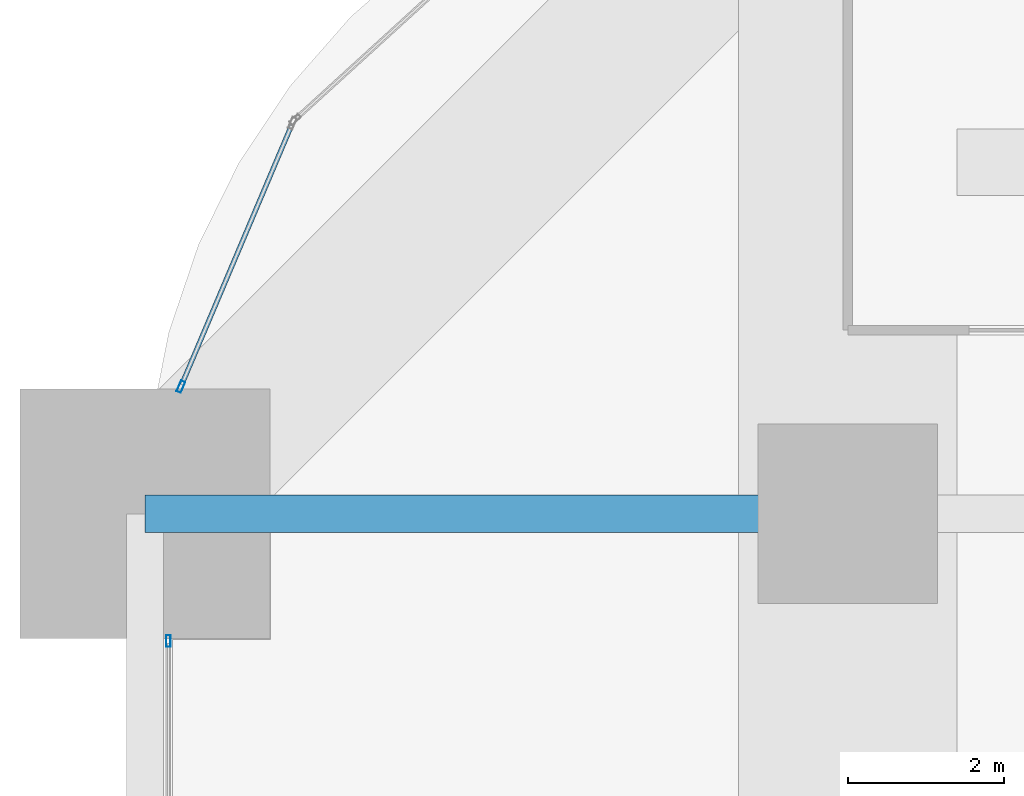
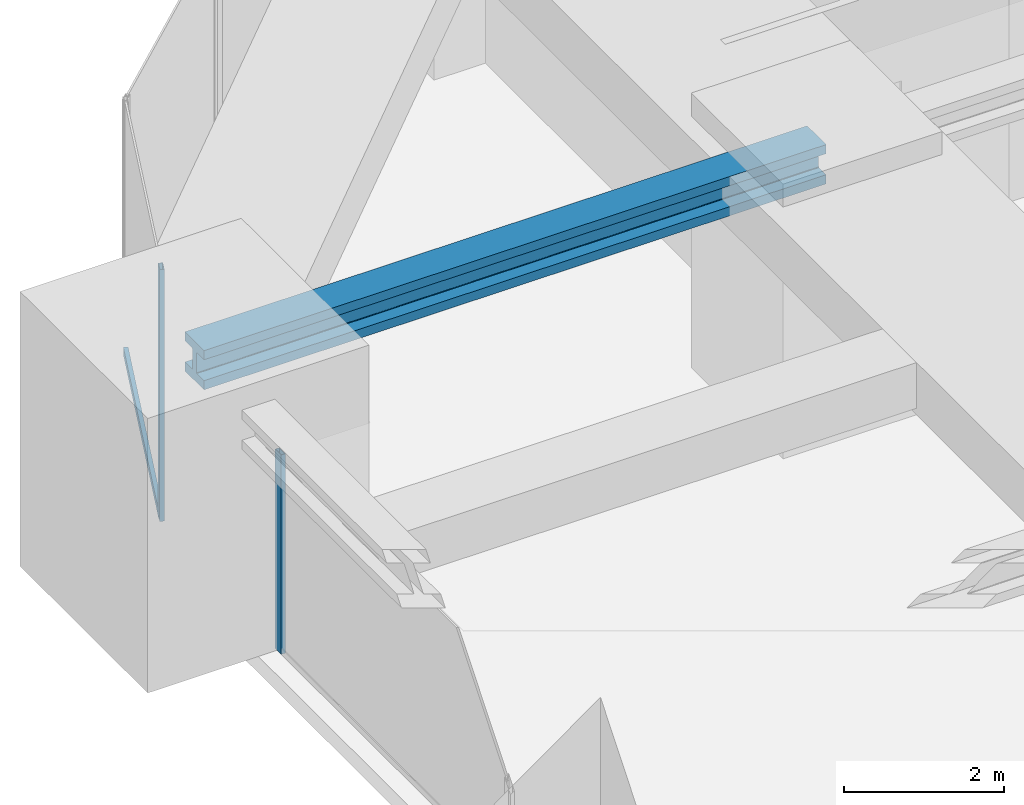
# One storey, part 23 of 39: 3 members, 1 beam, 2 elements without a shape of their own.
"""IFC4 building model written with IfcOpenShell, lengths in metres."""

from ifc_helpers import new_model, si_unit, direction, frame, origin, origin_2d, place, context, subcontext, project, spatial, hollow_rectangle, i_section, extrude, material, material_profile, profile_set, type_object, element, aggregate, save


model = new_model("IFC4")

# Units and contexts
model_context = context("Model", 3, precision=1e-05, world=origin(), true_north=direction((0.0, 1.0)))
body_context = subcontext(model_context, "Body", "Model", "MODEL_VIEW")
ifc_project = project(units=[si_unit("LENGTHUNIT", "METRE"), si_unit("AREAUNIT", "SQUARE_METRE"), si_unit("VOLUMEUNIT", "CUBIC_METRE"), si_unit("PLANEANGLEUNIT", "RADIAN"), si_unit("MASSUNIT", "GRAM", prefix="KILO")], contexts=[model_context])

# Site, building, storey
site_placement = place(None, origin())
site = spatial("IfcSite", under=ifc_project, at=site_placement, CompositionType="ELEMENT")
building_placement = place(site_placement, origin())
building = spatial("IfcBuilding", under=site, at=building_placement, Name="Zorevar Civic Tower", CompositionType="ELEMENT")
storey_placement = place(building_placement, frame((0.0, 0.0, 230.199951171875)))
storey = spatial("IfcBuildingStorey", under=building, at=storey_placement, Name="L56", CompositionType="ELEMENT", Elevation=230.199951171875)

# Curtain wall, member
ifc_material_1 = material(Name="Dark grey solar-control glass in black aluminium frame", Category="aluminium")
curtain_wall_type = type_object("IfcCurtainWallType", Name="Curtain wall CW4 high zone", PredefinedType="NOTDEFINED", material=ifc_material_1)
curtain_wall_1_placement = place(storey_placement, origin())
curtain_wall_1 = element("IfcCurtainWall", 1, at=curtain_wall_1_placement, inside=storey, type_object=curtain_wall_type, Name="CW4 L56", PredefinedType="NOTDEFINED")
ifc_material_2 = material(Name="Aluminium, black anodised", Category="aluminium")
ifc_material_profile_1 = material_profile(ifc_material_2, hollow_rectangle(XDim=0.06005859375, YDim=0.14990234375, WallThickness=0.00390625, at=origin_2d()), Name="AL 150x60x4")
ifc_profile_set_1 = profile_set([ifc_material_profile_1], Name="Aluminium, black anodised")
member_type_1 = type_object("IfcMemberType", Name="CW4 mullion AL 150x60x4", PredefinedType="MULLION", material=ifc_profile_set_1)
member_1_placement = place(storey_placement, frame((0.300048828125, 34.3701171875, 0.0), z_axis=(0.0, 0.0, 1.0), x_axis=(-1.0, 0.0, 0.0)))
member_1 = element("IfcMember", 2, at=member_1_placement, type_object=member_type_1, Name="CW4 mullion 2", PredefinedType="MULLION", context=body_context, shape_type="SweptSolid", body=[
    extrude(hollow_rectangle(XDim=0.06005859375, YDim=0.14990234375, WallThickness=0.00390625, at=origin_2d()), origin(), (0.0, 0.0, 1.0), 3.050048828125),
])
aggregate(curtain_wall_1, [member_1])

# Curtain wall, members
curtain_wall_2_placement = place(storey_placement, origin())
curtain_wall_2 = element("IfcCurtainWall", 3, at=curtain_wall_2_placement, inside=storey, type_object=curtain_wall_type, Name="CW4 L56", PredefinedType="NOTDEFINED")
member_2_placement = place(storey_placement, frame((0.460205078125, 37.627685546875, 0.0), z_axis=(0.0, 0.0, 1.0), x_axis=(0.920829589054, -0.389965213734, 0.0)))
member_2 = element("IfcMember", 4, at=member_2_placement, type_object=member_type_1, Name="CW4 mullion 2", PredefinedType="MULLION", context=body_context, shape_type="SweptSolid", body=[
    extrude(hollow_rectangle(XDim=0.06005859375, YDim=0.14990234375, WallThickness=0.00390625, at=origin_2d()), origin(), (0.0, 0.0, 1.0), 3.85009765625),
])
ifc_material_3 = material(Name="Aluminium, black anodised", Category="aluminium")
ifc_material_profile_2 = material_profile(ifc_material_3, hollow_rectangle(XDim=0.06005859375, YDim=0.1201171875, WallThickness=0.0029296875, at=origin_2d()), Name="AL 120x60x3")
ifc_profile_set_2 = profile_set([ifc_material_profile_2], Name="Aluminium, black anodised")
member_type_2 = type_object("IfcMemberType", Name="CW4 transom AL 120x60x3", PredefinedType="USERDEFINED", material=ifc_profile_set_2)
member_3_placement = place(storey_placement, frame((1.876708984375, 40.972900390625, 0.030029296875), z_axis=(-0.389916302368, -0.920850301161, 0.0), x_axis=(0.920850301161, -0.389916302368, 0.0)))
member_3 = element("IfcMember", 5, at=member_3_placement, type_object=member_type_2, Name="CW4 sill transom", ObjectType="TRANSOM", PredefinedType="USERDEFINED", context=body_context, shape_type="SweptSolid", body=[
    extrude(hollow_rectangle(XDim=0.06005859375, YDim=0.1201171875, WallThickness=0.0029296875, at=origin_2d()), origin(), (0.0, 0.0, 1.0), 3.602783203125),
])
aggregate(curtain_wall_2, [member_2, member_3])

# Beam
ifc_material_4 = material(Name="Steel S460M (HISTAR 460)", Category="steel")
ifc_material_profile_3 = material_profile(ifc_material_4, i_section(OverallWidth=0.47607421875, OverallDepth=0.60009765625, WebThickness=0.10009765625, FlangeThickness=0.139892578125, FilletRadius=0.014892578125, at=origin_2d()), Name="HD 400x1299")
ifc_profile_set_3 = profile_set([ifc_material_profile_3], Name="Steel S460M (HISTAR 460)")
beam_type = type_object("IfcBeamType", Name="Outrigger chord HD 400x1299", PredefinedType="BEAM", material=ifc_profile_set_3)
beam_placement = place(storey_placement, frame((0.0, 36.0, 3.550048828125), z_axis=(1.0, 0.0, 0.0), x_axis=(0.0, 1.0, 0.0)))
element("IfcBeam", 6, at=beam_placement, inside=storey, type_object=beam_type, Name="Outrigger chord L57", PredefinedType="BEAM", context=body_context, shape_type="SweptSolid", body=[
    extrude(i_section(OverallWidth=0.47607421875, OverallDepth=0.60009765625, WebThickness=0.10009765625, FlangeThickness=0.139892578125, FilletRadius=0.014892578125, at=origin_2d()), origin(), (0.0, 0.0, 1.0), 9.0),
])

save(model, "model.ifc")
